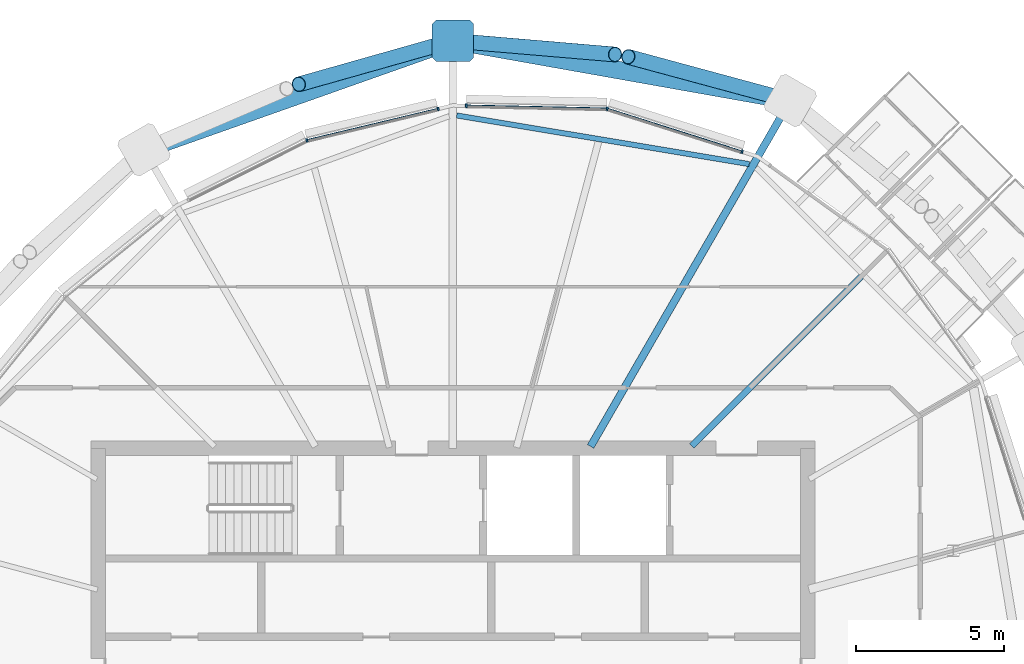
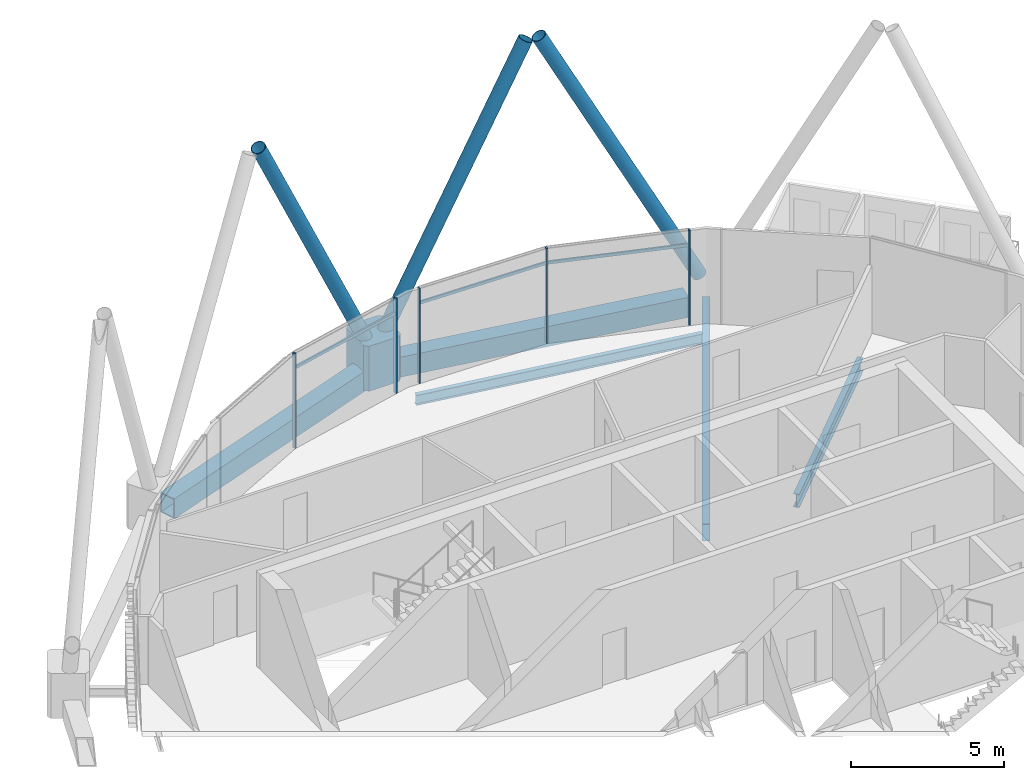
# One storey, part 17 of 34: 12 members, 5 beams, 1 element without a shape of its own.
"""IFC4 building model written with IfcOpenShell, lengths in metres."""

import ifcopenshell
import ifcopenshell.guid

model = None  # the IFC model being written
_history = None  # IfcOwnerHistory: only IFC2X3 demands one
_inside = {}  # id of a spatial element -> (the spatial element, [elements in it])
_under = {}  # id of a project, library or spatial element -> (it, [spatial elements below it])
_declared = {}  # id of a project -> (the project, [libraries it declares])
_typed = {}  # id of a type object -> (the type object, [elements of that type])
_made_of = {}  # id of a material, layer set ... -> (it, [elements and type objects made of it])


def new_model(schema):
    """Start an empty IFC model of exactly this schema.

    Asked for "IFC4X3", IfcOpenShell would pick the latest addendum, in which some entities
    have other attributes; the version numbers below select the first issue.
    IFC2X3 requires an IfcOwnerHistory on every rooted entity: one is made here for all.
    """
    global model, _history
    if schema == "IFC4X3":
        model = ifcopenshell.file(schema_version=(4, 3, 0, 0))
    else:
        model = ifcopenshell.file(schema=schema)
    _inside.clear()
    _under.clear()
    _declared.clear()
    _typed.clear()
    _made_of.clear()
    _history = None
    if model.schema == "IFC2X3":
        org = make("IfcOrganization", Name="unknown")
        user = make(
            "IfcPersonAndOrganization",
            ThePerson=make("IfcPerson", FamilyName="unknown"),
            TheOrganization=org,
        )
        app = make(
            "IfcApplication",
            ApplicationDeveloper=org,
            Version="unknown",
            ApplicationFullName="unknown",
            ApplicationIdentifier="unknown",
        )
        _history = make(
            "IfcOwnerHistory",
            OwningUser=user,
            OwningApplication=app,
            ChangeAction="ADDED",
            CreationDate=0,
        )
    return model


def make(cls, **values):
    """One entity of the class cls with the attributes given. An attribute that is None is left unset."""
    return model.create_entity(
        cls, **{name: value for name, value in values.items() if value is not None}
    )


def rooted(cls, **values):
    """An entity with a GlobalId (a new one), such as an element, a storey or a relation."""
    return make(cls, GlobalId=ifcopenshell.guid.new(), OwnerHistory=_history, **values)


def si_unit(unit_type, name, prefix=None):
    """IfcSIUnit, for example si_unit("LENGTHUNIT", "METRE", prefix="MILLI")."""
    return make("IfcSIUnit", UnitType=unit_type, Prefix=prefix, Name=name)


def assignment(units):
    """IfcUnitAssignment: the units of a project."""
    return None if units is None else make("IfcUnitAssignment", Units=units)


def point(xyz):
    """IfcCartesianPoint."""
    return None if xyz is None else make("IfcCartesianPoint", Coordinates=xyz)


def direction(xyz):
    """IfcDirection."""
    return None if xyz is None else make("IfcDirection", DirectionRatios=xyz)


def frame(location, z_axis=None, x_axis=None):
    """IfcAxis2Placement3D, a coordinate frame: its origin and axes. An axis left out is left unset."""
    return make(
        "IfcAxis2Placement3D",
        Location=point(location),
        Axis=direction(z_axis),
        RefDirection=direction(x_axis),
    )


def frame_2d(location, x_axis=None):
    """IfcAxis2Placement2D, a coordinate frame in the plane: its origin and x axis."""
    return make(
        "IfcAxis2Placement2D", Location=point(location), RefDirection=direction(x_axis)
    )


def origin():
    """The frame at (0, 0, 0) with its axes left unset."""
    return frame((0.0, 0.0, 0.0))


def origin_2d():
    """The frame at (0, 0) in the plane with its x axis left unset."""
    return frame_2d((0.0, 0.0))


def place(relative_to, where):
    """IfcLocalPlacement: puts the frame where relative to a parent placement (None: the world)."""
    return make(
        "IfcLocalPlacement", PlacementRelTo=relative_to, RelativePlacement=where
    )


def context(
    kind, dimensions, precision=None, world=None, true_north=None, identifier=None
):
    """IfcGeometricRepresentationContext, for example the 3D "Model" context."""
    return make(
        "IfcGeometricRepresentationContext",
        ContextIdentifier=identifier,
        ContextType=kind,
        CoordinateSpaceDimension=dimensions,
        Precision=precision,
        WorldCoordinateSystem=world,
        TrueNorth=true_north,
    )


def subcontext(parent, identifier, kind, view, scale=None):
    """IfcGeometricRepresentationSubContext, for example "Body" below "Model"."""
    return make(
        "IfcGeometricRepresentationSubContext",
        ContextIdentifier=identifier,
        ContextType=kind,
        ParentContext=parent,
        TargetScale=scale,
        TargetView=view,
    )


def project(units=None, contexts=None):
    """IfcProject with its units and contexts."""
    return rooted(
        "IfcProject",
        Name="project",
        RepresentationContexts=contexts,
        UnitsInContext=assignment(units),
    )


def spatial(cls, under=None, at=None, **own):
    """A site, building, storey or space (cls), placed at a placement, below another one or the project."""
    s = rooted(cls, ObjectPlacement=at, **own)
    if under is not None:
        _under.setdefault(under.id(), (under, []))[1].append(s)
    return s


def polyline(points):
    """IfcPolyline through the points."""
    return make("IfcPolyline", Points=[point(p) for p in points])


def profile(cls, at=None, kind="AREA", **sizes):
    """A parametric profile (cls). Its sizes go by their IFC names, for example OverallWidth=200.0."""
    return make(cls, ProfileType=kind, Position=at, **sizes)


def rectangle(**sizes):
    """IfcRectangleProfileDef."""
    return profile("IfcRectangleProfileDef", **sizes)


def hollow_rectangle(**sizes):
    """IfcRectangleHollowProfileDef."""
    return profile("IfcRectangleHollowProfileDef", **sizes)


def hollow_circle(**sizes):
    """IfcCircleHollowProfileDef."""
    return profile("IfcCircleHollowProfileDef", **sizes)


def i_section(**sizes):
    """IfcIShapeProfileDef."""
    return profile("IfcIShapeProfileDef", **sizes)


def outline(outer, holes=None, kind="AREA"):
    """IfcArbitraryClosedProfileDef: a profile drawn as a closed curve; with holes, ...WithVoids."""
    if holes is None:
        return make("IfcArbitraryClosedProfileDef", ProfileType=kind, OuterCurve=outer)
    return make(
        "IfcArbitraryProfileDefWithVoids",
        ProfileType=kind,
        OuterCurve=outer,
        InnerCurves=holes,
    )


def extrude(swept, where, along, depth):
    """IfcExtrudedAreaSolid: the profile swept, set in the frame where, extruded along a direction by depth."""
    return make(
        "IfcExtrudedAreaSolid",
        SweptArea=swept,
        Position=where,
        ExtrudedDirection=direction(along),
        Depth=depth,
    )


def shape(context_of_items, identifier, shape_type, items):
    """IfcShapeRepresentation: the items that make up one representation, for example the "Body"."""
    return make(
        "IfcShapeRepresentation",
        ContextOfItems=context_of_items,
        RepresentationIdentifier=identifier,
        RepresentationType=shape_type,
        Items=items,
    )


def material(Name=None, Category=None):
    """IfcMaterial."""
    return make("IfcMaterial", Name=Name, Category=Category)


def material_profile(
    of_material, cross_section, Name=None, Category=None, Priority=None
):
    """IfcMaterialProfile: a cross section and its material."""
    return make(
        "IfcMaterialProfile",
        Name=Name,
        Material=of_material,
        Profile=cross_section,
        Priority=Priority,
        Category=Category,
    )


def profile_set(profiles, Name=None, composite=None):
    """IfcMaterialProfileSet."""
    return make(
        "IfcMaterialProfileSet",
        Name=Name,
        MaterialProfiles=profiles,
        CompositeProfile=composite,
    )


def made_of(thing, what):
    """Note that an element or type object is made of a material, layer set ...; save() writes the relation."""
    if what is not None:
        _made_of.setdefault(what.id(), (what, []))[1].append(thing)
    return thing


def type_object(cls, material=None, **own):
    """A type object (cls), such as IfcWallType, which elements share."""
    return made_of(rooted(cls, **own), material)


def element(
    cls,
    number,
    at=None,
    inside=None,
    cuts=None,
    type_object=None,
    material=None,
    context=None,
    identifier="Body",
    shape_type=None,
    held_by="IfcProductDefinitionShape",
    body=None,
    shapes=None,
    **own,
):
    """One element of the class cls, such as IfcWall. Its Tag is "e" and its number.

    at: its placement. inside: the storey or other place that contains it. cuts: it is an
    opening in that element (IfcRelVoidsElement). A single representation is given by context,
    identifier, shape_type and body (its items); several are given by shapes. held_by: the class
    of the entity that holds the representations. save() writes the other relations.
    """
    e = rooted(cls, Tag="e%d" % number, ObjectPlacement=at, **own)
    if body is not None:
        shapes = [shape(context, identifier, shape_type, body)]
    if shapes is not None:
        e.Representation = make(held_by, Representations=shapes)
    if inside is not None:
        _inside.setdefault(inside.id(), (inside, []))[1].append(e)
    if cuts is not None:
        rooted(
            "IfcRelVoidsElement", RelatingBuildingElement=cuts, RelatedOpeningElement=e
        )
    if type_object is not None:
        _typed.setdefault(type_object.id(), (type_object, []))[1].append(e)
    return made_of(e, material)


def aggregate(whole, parts):
    """IfcRelAggregates: a whole, such as a stair, and the parts it consists of."""
    return rooted("IfcRelAggregates", RelatingObject=whole, RelatedObjects=parts)


def save(model, path):
    """Write the relations noted so far, then the file.

    IfcRelAggregates (storeys below a building ...), IfcRelContainedInSpatialStructure (elements
    in a storey), IfcRelDefinesByType, IfcRelAssociatesMaterial and IfcRelDeclares: one each for
    every whole, place, type object, material and project.
    """
    for whole, parts in _under.values():
        aggregate(whole, parts)
    for where, things in _inside.values():
        rooted(
            "IfcRelContainedInSpatialStructure",
            RelatedElements=things,
            RelatingStructure=where,
        )
    for kind, things in _typed.values():
        rooted("IfcRelDefinesByType", RelatedObjects=things, RelatingType=kind)
    for what, things in _made_of.values():
        rooted("IfcRelAssociatesMaterial", RelatedObjects=things, RelatingMaterial=what)
    for by, libraries in _declared.values():
        rooted("IfcRelDeclares", RelatingContext=by, RelatedDefinitions=libraries)
    model.write(path)


model = new_model("IFC4")

# Units and contexts
model_context = context("Model", 3, precision=1e-05, world=origin(), true_north=direction((0.0, 1.0)))
body_context = subcontext(model_context, "Body", "Model", "MODEL_VIEW")
ifc_project = project(units=[si_unit("LENGTHUNIT", "METRE"), si_unit("AREAUNIT", "SQUARE_METRE"), si_unit("VOLUMEUNIT", "CUBIC_METRE"), si_unit("PLANEANGLEUNIT", "RADIAN"), si_unit("MASSUNIT", "GRAM", prefix="KILO")], contexts=[model_context])

# Site, building, storey
site_placement = place(None, origin())
site = spatial("IfcSite", under=ifc_project, at=site_placement, CompositionType="ELEMENT")
building_placement = place(site_placement, origin())
building = spatial("IfcBuilding", under=site, at=building_placement, Name="Rimbun Link Towers", CompositionType="ELEMENT")
storey_placement = place(building_placement, frame((0.0, 0.0, 221.89990234375)))
storey = spatial("IfcBuildingStorey", under=building, at=storey_placement, Name="L54", CompositionType="ELEMENT", Elevation=221.89990234375)

# Curtain wall, members
ifc_material_1 = material(Name="Aluminium 6063-T6 and low-iron glass", Category="aluminium")
curtain_wall_type = type_object("IfcCurtainWallType", Name="CW1-Z4 unitised vision wall (zone 4)", PredefinedType="NOTDEFINED", material=ifc_material_1)
curtain_wall_placement = place(storey_placement, origin())
curtain_wall = element("IfcCurtainWall", 1, at=curtain_wall_placement, inside=storey, type_object=curtain_wall_type, Name="CW1 L54 T2", PredefinedType="NOTDEFINED")
ifc_material_2 = material(Name="Aluminium 6063-T6", Category="aluminium")
ifc_material_profile_1 = material_profile(ifc_material_2, rectangle(XDim=0.1201171875, YDim=0.06005859375, at=origin_2d()), Name="MULLION 60X120")
ifc_profile_set_1 = profile_set([ifc_material_profile_1], Name="Aluminium 6063-T6")
member_type_1 = type_object("IfcMemberType", Name="CW1 mullion 60X120", PredefinedType="MULLION", material=ifc_profile_set_1)
member_1_placement = place(storey_placement, frame((36.96533203125, 19.48681640625, 0.0), z_axis=(0.0, 0.0, 1.0), x_axis=(0.163741653209, 0.986503254432, 0.0)))
member_1 = element("IfcMember", 2, at=member_1_placement, type_object=member_type_1, Name="CW1 mullion", PredefinedType="MULLION", context=body_context, shape_type="SweptSolid", body=[
    extrude(rectangle(XDim=0.1201171875, YDim=0.06005859375, at=origin_2d()), origin(), (0.0, 0.0, 1.0), 3.800048828125),
])
member_2_placement = place(storey_placement, frame((41.528076171875, 18.036376953125, 0.0), z_axis=(0.0, 0.0, 1.0), x_axis=(0.303052619159, 0.952973824415, 0.0)))
member_2 = element("IfcMember", 3, at=member_2_placement, type_object=member_type_1, Name="CW1 mullion", PredefinedType="MULLION", context=body_context, shape_type="SweptSolid", body=[
    extrude(rectangle(XDim=0.1201171875, YDim=0.06005859375, at=origin_2d()), origin(), (0.0, 0.0, 1.0), 3.800048828125),
])
member_3_placement = place(storey_placement, frame((32.201171875, 19.587890625, 0.0), z_axis=(0.0, 0.0, 1.0), x_axis=(0.021068781637, 0.999778028585, 0.0)))
member_3 = element("IfcMember", 4, at=member_3_placement, type_object=member_type_1, Name="CW1 mullion", PredefinedType="MULLION", context=body_context, shape_type="SweptSolid", body=[
    extrude(rectangle(XDim=0.1201171875, YDim=0.06005859375, at=origin_2d()), origin(), (0.0, 0.0, 1.0), 3.800048828125),
])
member_4_placement = place(storey_placement, frame((26.809814453125, 18.4169921875, 0.0), z_axis=(0.0, 0.0, 1.0), x_axis=(-0.342964224935, 0.939348465914, 0.0)))
member_4 = element("IfcMember", 5, at=member_4_placement, type_object=member_type_1, Name="CW1 mullion", PredefinedType="MULLION", context=body_context, shape_type="SweptSolid", body=[
    extrude(rectangle(XDim=0.1201171875, YDim=0.06005859375, at=origin_2d()), origin(), (0.0, 0.0, 1.0), 3.800048828125),
])
member_5_placement = place(storey_placement, frame((31.249755859375, 19.479248046875, 0.0), z_axis=(0.0, 0.0, 1.0), x_axis=(-0.232601262555, 0.972572183777, 0.0)))
member_5 = element("IfcMember", 6, at=member_5_placement, type_object=member_type_1, Name="CW1 mullion", PredefinedType="MULLION", context=body_context, shape_type="SweptSolid", body=[
    extrude(rectangle(XDim=0.1201171875, YDim=0.06005859375, at=origin_2d()), origin(), (0.0, 0.0, 1.0), 3.800048828125),
])
ifc_material_3 = material(Name="Aluminium 6063-T6", Category="aluminium")
ifc_material_profile_2 = material_profile(ifc_material_3, rectangle(XDim=0.06005859375, YDim=0.1201171875, at=origin_2d()), Name="TRANSOM 60X120")
ifc_profile_set_2 = profile_set([ifc_material_profile_2], Name="Aluminium 6063-T6")
member_type_2 = type_object("IfcMemberType", Name="CW1 transom 60X120", PredefinedType="USERDEFINED", material=ifc_profile_set_2)
member_6_placement = place(storey_placement, frame((37.001708984375, 19.473876953125, 3.2001953125), z_axis=(0.952974006813, -0.303052045595, 0.0), x_axis=(0.303052045595, 0.952974006813, 0.0)))
member_6 = element("IfcMember", 7, at=member_6_placement, type_object=member_type_2, Name="CW1 transom", ObjectType="TRANSOM", PredefinedType="USERDEFINED", context=body_context, shape_type="SweptSolid", body=[
    extrude(rectangle(XDim=0.06005859375, YDim=0.1201171875, at=origin_2d()), origin(), (0.0, 0.0, 1.0), 4.71923828125),
])
member_7_placement = place(storey_placement, frame((32.231201171875, 19.585205078125, 3.2001953125), z_axis=(0.999778363346, -0.021052890197, 0.0), x_axis=(0.021052890197, 0.999778363346, 0.0)))
member_7 = element("IfcMember", 8, at=member_7_placement, type_object=member_type_2, Name="CW1 transom", ObjectType="TRANSOM", PredefinedType="USERDEFINED", context=body_context, shape_type="SweptSolid", body=[
    extrude(rectangle(XDim=0.06005859375, YDim=0.1201171875, at=origin_2d()), origin(), (0.0, 0.0, 1.0), 4.696533203125),
])
member_8_placement = place(storey_placement, frame((26.845947265625, 18.424072265625, 3.2001953125), z_axis=(0.972569283295, 0.232613389967, 0.0), x_axis=(-0.232613389967, 0.972569283295, 0.0)))
member_8 = element("IfcMember", 9, at=member_8_placement, type_object=member_type_2, Name="CW1 transom", ObjectType="TRANSOM", PredefinedType="USERDEFINED", context=body_context, shape_type="SweptSolid", body=[
    extrude(rectangle(XDim=0.06005859375, YDim=0.1201171875, at=origin_2d()), origin(), (0.0, 0.0, 1.0), 4.498291015625),
])
aggregate(curtain_wall, [member_1, member_2, member_3, member_4, member_5, member_6, member_7, member_8])

# Members
ifc_material_4 = material(Name="Steel S355J2H", Category="steel")
ifc_material_profile_3 = material_profile(ifc_material_4, hollow_circle(Radius=0.25390625, WallThickness=0.02001953125, at=origin_2d()), Name="Diagrid diagonal CHS 508x20")
ifc_profile_set_3 = profile_set([ifc_material_profile_3], Name="Steel S355J2H")
member_type_3 = type_object("IfcMemberType", Name="Diagrid diagonal CHS 508x20", PredefinedType="BRACE", material=ifc_profile_set_3)
member_9_placement = place(storey_placement, frame((42.93701171875, 19.8212890625, 0.444091796875), z_axis=(-0.444016503239, 0.120124292015, 0.887929895498), x_axis=(-0.26115179833, -0.965297745895, 0.0)))
element("IfcMember", 10, at=member_9_placement, inside=storey, type_object=member_type_3, Name="Diagrid diagonal T2 L54-L57 01b", PredefinedType="BRACE", context=body_context, shape_type="SweptSolid", body=[
    extrude(hollow_circle(Radius=0.25390625, WallThickness=0.02001953125, at=origin_2d()), origin(), (0.0, 0.0, 1.0), 11.838623046875),
])
member_10_placement = place(storey_placement, frame((31.9736328125, 21.768310546875, 0.44677734375), z_axis=(0.447415217276, -0.037912672827, 0.893522385052), x_axis=(0.084434517111, 0.996429030248, 0.0)))
element("IfcMember", 11, at=member_10_placement, inside=storey, type_object=member_type_3, Name="Diagrid diagonal T2 L54-L57 03a", PredefinedType="BRACE", context=body_context, shape_type="SweptSolid", body=[
    extrude(hollow_circle(Radius=0.25390625, WallThickness=0.02001953125, at=origin_2d()), origin(), (0.0, 0.0, 1.0), 11.758544921875),
])
member_11_placement = place(storey_placement, frame((31.53662109375, 21.72705078125, 0.4482421875), z_axis=(-0.426671795463, -0.120647283571, 0.896323274228), x_axis=(0.272095101778, -0.96227036512, 0.0)))
element("IfcMember", 12, at=member_11_placement, inside=storey, type_object=member_type_3, Name="Diagrid diagonal T2 L54-L57 03b", PredefinedType="BRACE", context=body_context, shape_type="SweptSolid", body=[
    extrude(hollow_circle(Radius=0.25390625, WallThickness=0.02001953125, at=origin_2d()), origin(), (0.0, 0.0, 1.0), 11.718505859375),
])
ifc_material_5 = material(Name="Cast steel G20Mn5+QT, Rp0.2 300 MPa", Category="steel")
ifc_material_profile_4 = material_profile(ifc_material_5, outline(polyline([(0.699951171875, -0.570068359375), (0.699951171875, 0.570068359375), (0.570068359375, 0.699951171875), (-0.570068359375, 0.699951171875), (-0.699951171875, 0.570068359375), (-0.699951171875, -0.570068359375), (-0.570068359375, -0.699951171875), (0.570068359375, -0.699951171875), (0.699951171875, -0.570068359375)])), Name="NODE 1400x1400")
ifc_profile_set_4 = profile_set([ifc_material_profile_4], Name="Cast steel G20Mn5+QT, Rp0.2 300 MPa")
member_type_4 = type_object("IfcMemberType", Name="Diagrid node cast 1400", PredefinedType="USERDEFINED", material=ifc_profile_set_4)
member_12_placement = place(storey_placement, frame((31.75, 21.787353515625, -0.89990234375), z_axis=(0.0, 0.0, 1.0), x_axis=(0.0, 1.0, 0.0)))
element("IfcMember", 13, at=member_12_placement, inside=storey, type_object=member_type_4, Name="Diagrid node L54 03", ObjectType="Diagrid node", PredefinedType="USERDEFINED", context=body_context, shape_type="SweptSolid", body=[
    extrude(outline(polyline([(0.699951171875, -0.570068359375), (0.699951171875, 0.570068359375), (0.570068359375, 0.699951171875), (-0.570068359375, 0.699951171875), (-0.699951171875, 0.570068359375), (-0.699951171875, -0.570068359375), (-0.570068359375, -0.699951171875), (0.570068359375, -0.699951171875), (0.699951171875, -0.570068359375)])), origin(), (0.0, 0.0, 1.0), 1.800048828125),
])

# Beams
ifc_material_6 = material(Name="Steel S355J2", Category="steel")
ifc_material_profile_5 = material_profile(ifc_material_6, hollow_rectangle(XDim=0.60009765625, YDim=0.800048828125, WallThickness=0.0400390625, at=origin_2d()), Name="Exoskeleton ring girder BOX 600x800x40")
ifc_profile_set_5 = profile_set([ifc_material_profile_5], Name="Steel S355J2")
beam_type_1 = type_object("IfcBeamType", Name="Exoskeleton ring girder BOX 600x800x40", PredefinedType="BEAM", material=ifc_profile_set_5)
beam_1_placement = place(storey_placement, frame((42.469970703125, 19.883544921875, -0.559814453125), z_axis=(-0.984596261996, 0.174843360939, 0.0), x_axis=(-0.174843360939, -0.984596261996, 0.0)))
element("IfcBeam", 14, at=beam_1_placement, inside=storey, type_object=beam_type_1, Name="Exoskeleton ring girder L54 00", PredefinedType="BEAM", context=body_context, shape_type="SweptSolid", body=[
    extrude(hollow_rectangle(XDim=0.60009765625, YDim=0.800048828125, WallThickness=0.0400390625, at=origin_2d()), origin(), (0.0, 0.0, 1.0), 10.187744140625),
])
beam_2_placement = place(storey_placement, frame((31.08984375, 21.55419921875, -0.559814453125), z_axis=(-0.942938642651, -0.332966539153, 0.0), x_axis=(0.332966539153, -0.942938642651, 0.0)))
element("IfcBeam", 15, at=beam_2_placement, inside=storey, type_object=beam_type_1, Name="Exoskeleton ring girder L54 01", PredefinedType="BEAM", context=body_context, shape_type="SweptSolid", body=[
    extrude(hollow_rectangle(XDim=0.60009765625, YDim=0.800048828125, WallThickness=0.0400390625, at=origin_2d()), origin(), (0.0, 0.0, 1.0), 9.680908203125),
])
ifc_material_7 = material(Name="Steel S355J2", Category="steel")
ifc_material_profile_6 = material_profile(ifc_material_7, i_section(OverallWidth=0.177978515625, OverallDepth=0.406494140625, WebThickness=0.0078125, FlangeThickness=0.0126953125, at=origin_2d()), Name="UB 406x178x60")
ifc_profile_set_6 = profile_set([ifc_material_profile_6], Name="Steel S355J2")
beam_type_2 = type_object("IfcBeamType", Name="UB 406x178x60", PredefinedType="BEAM", material=ifc_profile_set_6)
beam_3_placement = place(storey_placement, frame((41.771484375, 17.61328125, -0.343017578125), z_axis=(-0.986445847278, 0.164087142665, 0.0), x_axis=(-0.164087142665, -0.986445847278, 0.0)))
element("IfcBeam", 16, at=beam_3_placement, inside=storey, type_object=beam_type_2, Name="Edge beam T2 L54 01-03", PredefinedType="BEAM", context=body_context, shape_type="SweptSolid", body=[
    extrude(i_section(OverallWidth=0.177978515625, OverallDepth=0.406494140625, WebThickness=0.0078125, FlangeThickness=0.0126953125, at=origin_2d()), origin(), (0.0, 0.0, 1.0), 10.02978515625),
])
ifc_material_8 = material(Name="Steel S355J2", Category="steel")
ifc_material_profile_7 = material_profile(ifc_material_8, i_section(OverallWidth=0.209228515625, OverallDepth=0.533203125, WebThickness=0.010009765625, FlangeThickness=0.015625, at=origin_2d()), Name="UB 533x210x92")
ifc_profile_set_7 = profile_set([ifc_material_profile_7], Name="Steel S355J2")
beam_type_3 = type_object("IfcBeamType", Name="UB 533x210x92", PredefinedType="BEAM", material=ifc_profile_set_7)
beam_4_placement = place(storey_placement, frame((39.82470703125, 8.07470703125, -0.406494140625), z_axis=(0.707106781187, 0.707106781187, 0.0), x_axis=(-0.707106781187, 0.707106781187, 0.0)))
element("IfcBeam", 17, at=beam_4_placement, inside=storey, type_object=beam_type_3, Name="Radial beam T2 L54 00", PredefinedType="BEAM", context=body_context, shape_type="SweptSolid", body=[
    extrude(i_section(OverallWidth=0.209228515625, OverallDepth=0.533203125, WebThickness=0.010009765625, FlangeThickness=0.015625, at=origin_2d()), origin(), (0.0, 0.0, 1.0), 8.110595703125),
])
ifc_material_9 = material(Name="Steel S355J2", Category="steel")
ifc_material_profile_8 = material_profile(ifc_material_9, i_section(OverallWidth=0.253662109375, OverallDepth=0.68359375, WebThickness=0.012451171875, FlangeThickness=0.01904296875, at=origin_2d()), Name="UB 686x254x140")
ifc_profile_set_8 = profile_set([ifc_material_profile_8], Name="Steel S355J2")
beam_type_4 = type_object("IfcBeamType", Name="UB 686x254x140", PredefinedType="BEAM", material=ifc_profile_set_8)
beam_5_placement = place(storey_placement, frame((36.406005859375, 8.064208984375, -0.481689453125), z_axis=(0.499997052475, 0.866027105532, 0.0), x_axis=(-0.866027105532, 0.499997052475, 0.0)))
element("IfcBeam", 18, at=beam_5_placement, inside=storey, type_object=beam_type_4, Name="Radial beam T2 L54 01", PredefinedType="BEAM", context=body_context, shape_type="SweptSolid", body=[
    extrude(i_section(OverallWidth=0.253662109375, OverallDepth=0.68359375, WebThickness=0.012451171875, FlangeThickness=0.01904296875, at=origin_2d()), origin(), (0.0, 0.0, 1.0), 13.00634765625),
])

save(model, "model.ifc")
